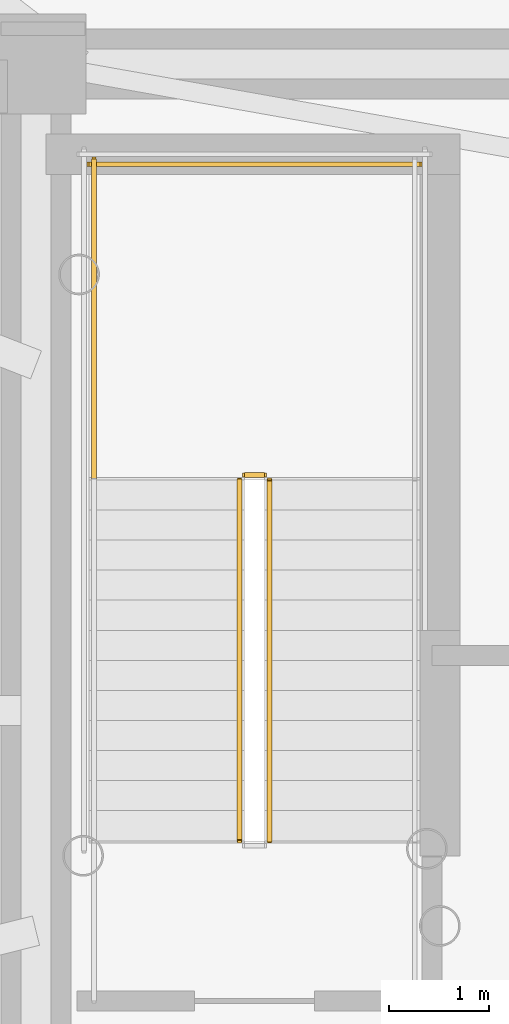
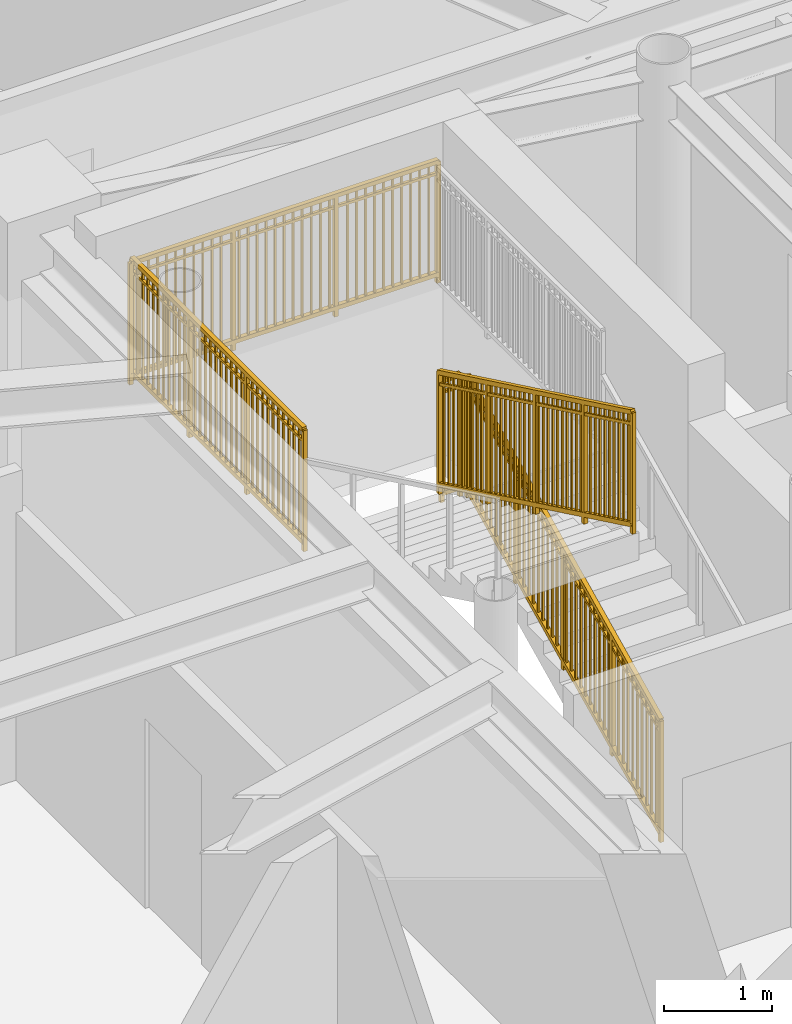
# One storey, part 14 of 17: 5 railings.
"""IFC4 building model written with IfcOpenShell, lengths in metres."""

from ifc_helpers import new_model, si_unit, direction, frame, origin, origin_2d, place, context, subcontext, project, spatial, rectangle, extrude, source, transform, mapped, material, type_object, element, save


model = new_model("IFC4")

# Units and contexts
model_context = context("Model", 3, precision=1e-05, world=origin(), true_north=direction((0.0, 1.0)))
body_context = subcontext(model_context, "Body", "Model", "MODEL_VIEW")
ifc_project = project(units=[si_unit("LENGTHUNIT", "METRE"), si_unit("AREAUNIT", "SQUARE_METRE"), si_unit("VOLUMEUNIT", "CUBIC_METRE"), si_unit("PLANEANGLEUNIT", "RADIAN"), si_unit("MASSUNIT", "GRAM", prefix="KILO")], contexts=[model_context])

# Site, building, storey
site_placement = place(None, origin())
site = spatial("IfcSite", under=ifc_project, at=site_placement, CompositionType="ELEMENT")
building_placement = place(site_placement, origin())
building = spatial("IfcBuilding", under=site, at=building_placement, Name="Linh Dai School and Residence Tower", CompositionType="ELEMENT")
storey_placement = place(building_placement, frame((0.0, 0.0, 310.5)))
storey = spatial("IfcBuildingStorey", under=building, at=storey_placement, Name="L77", CompositionType="ELEMENT", Elevation=310.5)

# Railings
ifc_material = material(Name="Structural Steel S355JR", Category="steel")
railing_type = type_object("IfcRailingType", Name="RL-ST-GUARD-1400", PredefinedType="GUARDRAIL", material=ifc_material)
shared_shape_1 = source(origin(), body_context, "Body", "SweptSolid", [
    extrude(rectangle(XDim=0.048095703125, YDim=0.048095703125, at=origin_2d()), frame((0.0, 0.0, 1.3759765625), z_axis=(-1.0, 0.0, 0.0), x_axis=(0.0, -1.0, 0.0)), (0.0, 0.0, 1.0), 0.199951171875),
    extrude(rectangle(XDim=0.048095703125, YDim=0.048095703125, at=origin_2d()), frame((0.0, 0.0, 0.10009765625), z_axis=(-1.0, 0.0, 0.0), x_axis=(0.0, -1.0, 0.0)), (0.0, 0.0, 1.0), 0.199951171875),
    extrude(rectangle(XDim=0.030029296875, YDim=0.030029296875, at=origin_2d()), frame((0.0, 0.0, 1.239990234375), z_axis=(-1.0, 0.0, 0.0), x_axis=(0.0, -1.0, 0.0)), (0.0, 0.0, 1.0), 0.199951171875),
    extrude(rectangle(XDim=0.0419921875, YDim=0.0419921875, at=origin_2d()), origin(), (0.0, 0.0, 1.0), 1.3759765625),
    extrude(rectangle(XDim=0.0419921875, YDim=0.0419921875, at=origin_2d()), frame((-0.199951171875, 0.0, 0.0)), (0.0, 0.0, 1.0), 1.3759765625),
])
railing_1_placement = place(storey_placement, frame((29.429931640625, 29.35009765625, 1.875)))
element("IfcRailing", 1, at=railing_1_placement, inside=storey, type_object=railing_type, Name="L77 ST1 stair guard 2", PredefinedType="GUARDRAIL", context=body_context, shape_type="MappedRepresentation", body=[
    mapped(shared_shape_1, transform((0.0, 0.0, 0.0), x_axis=(1.0, 0.0, 0.0), y_axis=(0.0, 1.0, 0.0), z_axis=(0.0, 0.0, 1.0), scale=1.0)),
])
shared_shape_2 = source(origin(), body_context, "Body", "SweptSolid", [
    extrude(rectangle(XDim=0.048095703125, YDim=0.048095703125, at=origin_2d()), frame((0.0, 0.0, 1.3759765625), z_axis=(-1.0, 0.0, 0.0), x_axis=(0.0, -1.0, 0.0)), (0.0, 0.0, 1.0), 3.300048828125),
    extrude(rectangle(XDim=0.048095703125, YDim=0.048095703125, at=origin_2d()), frame((0.0, 0.0, 0.10009765625), z_axis=(-1.0, 0.0, 0.0), x_axis=(0.0, -1.0, 0.0)), (0.0, 0.0, 1.0), 3.300048828125),
    extrude(rectangle(XDim=0.030029296875, YDim=0.030029296875, at=origin_2d()), frame((0.0, 0.0, 1.239990234375), z_axis=(-1.0, 0.0, 0.0), x_axis=(0.0, -1.0, 0.0)), (0.0, 0.0, 1.0), 3.300048828125),
    extrude(rectangle(XDim=0.02001953125, YDim=0.02001953125, at=origin_2d()), frame((-0.09716796875, 0.0, 0.10009765625)), (0.0, 0.0, 1.0), 1.251708984375),
    extrude(rectangle(XDim=0.02001953125, YDim=0.02001953125, at=origin_2d()), frame((-0.194091796875, 0.0, 0.10009765625)), (0.0, 0.0, 1.0), 1.251708984375),
    extrude(rectangle(XDim=0.02001953125, YDim=0.02001953125, at=origin_2d()), frame((-0.291259765625, 0.0, 0.10009765625)), (0.0, 0.0, 1.0), 1.251708984375),
    extrude(rectangle(XDim=0.02001953125, YDim=0.02001953125, at=origin_2d()), frame((-0.38818359375, 0.0, 0.10009765625)), (0.0, 0.0, 1.0), 1.251708984375),
    extrude(rectangle(XDim=0.02001953125, YDim=0.02001953125, at=origin_2d()), frame((-0.4853515625, 0.0, 0.10009765625)), (0.0, 0.0, 1.0), 1.251708984375),
    extrude(rectangle(XDim=0.02001953125, YDim=0.02001953125, at=origin_2d()), frame((-0.582275390625, 0.0, 0.10009765625)), (0.0, 0.0, 1.0), 1.251708984375),
    extrude(rectangle(XDim=0.02001953125, YDim=0.02001953125, at=origin_2d()), frame((-0.679443359375, 0.0, 0.10009765625)), (0.0, 0.0, 1.0), 1.251708984375),
    extrude(rectangle(XDim=0.02001953125, YDim=0.02001953125, at=origin_2d()), frame((-0.7763671875, 0.0, 0.10009765625)), (0.0, 0.0, 1.0), 1.251708984375),
    extrude(rectangle(XDim=0.02001953125, YDim=0.02001953125, at=origin_2d()), frame((-0.87353515625, 0.0, 0.10009765625)), (0.0, 0.0, 1.0), 1.251708984375),
    extrude(rectangle(XDim=0.02001953125, YDim=0.02001953125, at=origin_2d()), frame((-0.970703125, 0.0, 0.10009765625)), (0.0, 0.0, 1.0), 1.251708984375),
    extrude(rectangle(XDim=0.02001953125, YDim=0.02001953125, at=origin_2d()), frame((-1.164794921875, 0.0, 0.10009765625)), (0.0, 0.0, 1.0), 1.251708984375),
    extrude(rectangle(XDim=0.02001953125, YDim=0.02001953125, at=origin_2d()), frame((-1.26171875, 0.0, 0.10009765625)), (0.0, 0.0, 1.0), 1.251708984375),
    extrude(rectangle(XDim=0.02001953125, YDim=0.02001953125, at=origin_2d()), frame((-1.35888671875, 0.0, 0.10009765625)), (0.0, 0.0, 1.0), 1.251708984375),
    extrude(rectangle(XDim=0.02001953125, YDim=0.02001953125, at=origin_2d()), frame((-1.455810546875, 0.0, 0.10009765625)), (0.0, 0.0, 1.0), 1.251708984375),
    extrude(rectangle(XDim=0.02001953125, YDim=0.02001953125, at=origin_2d()), frame((-1.552978515625, 0.0, 0.10009765625)), (0.0, 0.0, 1.0), 1.251708984375),
    extrude(rectangle(XDim=0.02001953125, YDim=0.02001953125, at=origin_2d()), frame((-1.64990234375, 0.0, 0.10009765625)), (0.0, 0.0, 1.0), 1.251708984375),
    extrude(rectangle(XDim=0.02001953125, YDim=0.02001953125, at=origin_2d()), frame((-1.7470703125, 0.0, 0.10009765625)), (0.0, 0.0, 1.0), 1.251708984375),
    extrude(rectangle(XDim=0.02001953125, YDim=0.02001953125, at=origin_2d()), frame((-1.84423828125, 0.0, 0.10009765625)), (0.0, 0.0, 1.0), 1.251708984375),
    extrude(rectangle(XDim=0.02001953125, YDim=0.02001953125, at=origin_2d()), frame((-1.941162109375, 0.0, 0.10009765625)), (0.0, 0.0, 1.0), 1.251708984375),
    extrude(rectangle(XDim=0.02001953125, YDim=0.02001953125, at=origin_2d()), frame((-2.038330078125, 0.0, 0.10009765625)), (0.0, 0.0, 1.0), 1.251708984375),
    extrude(rectangle(XDim=0.02001953125, YDim=0.02001953125, at=origin_2d()), frame((-2.13525390625, 0.0, 0.10009765625)), (0.0, 0.0, 1.0), 1.251708984375),
    extrude(rectangle(XDim=0.02001953125, YDim=0.02001953125, at=origin_2d()), frame((-2.329345703125, 0.0, 0.10009765625)), (0.0, 0.0, 1.0), 1.251708984375),
    extrude(rectangle(XDim=0.02001953125, YDim=0.02001953125, at=origin_2d()), frame((-2.426513671875, 0.0, 0.10009765625)), (0.0, 0.0, 1.0), 1.251708984375),
    extrude(rectangle(XDim=0.02001953125, YDim=0.02001953125, at=origin_2d()), frame((-2.523681640625, 0.0, 0.10009765625)), (0.0, 0.0, 1.0), 1.251708984375),
    extrude(rectangle(XDim=0.02001953125, YDim=0.02001953125, at=origin_2d()), frame((-2.62060546875, 0.0, 0.10009765625)), (0.0, 0.0, 1.0), 1.251708984375),
    extrude(rectangle(XDim=0.02001953125, YDim=0.02001953125, at=origin_2d()), frame((-2.7177734375, 0.0, 0.10009765625)), (0.0, 0.0, 1.0), 1.251708984375),
    extrude(rectangle(XDim=0.02001953125, YDim=0.02001953125, at=origin_2d()), frame((-2.814697265625, 0.0, 0.10009765625)), (0.0, 0.0, 1.0), 1.251708984375),
    extrude(rectangle(XDim=0.02001953125, YDim=0.02001953125, at=origin_2d()), frame((-2.911865234375, 0.0, 0.10009765625)), (0.0, 0.0, 1.0), 1.251708984375),
    extrude(rectangle(XDim=0.02001953125, YDim=0.02001953125, at=origin_2d()), frame((-3.0087890625, 0.0, 0.10009765625)), (0.0, 0.0, 1.0), 1.251708984375),
    extrude(rectangle(XDim=0.02001953125, YDim=0.02001953125, at=origin_2d()), frame((-3.10595703125, 0.0, 0.10009765625)), (0.0, 0.0, 1.0), 1.251708984375),
    extrude(rectangle(XDim=0.02001953125, YDim=0.02001953125, at=origin_2d()), frame((-3.202880859375, 0.0, 0.10009765625)), (0.0, 0.0, 1.0), 1.251708984375),
    extrude(rectangle(XDim=0.0419921875, YDim=0.0419921875, at=origin_2d()), origin(), (0.0, 0.0, 1.0), 1.3759765625),
    extrude(rectangle(XDim=0.0419921875, YDim=0.0419921875, at=origin_2d()), frame((-1.10009765625, 0.0, 0.0)), (0.0, 0.0, 1.0), 1.3759765625),
    extrude(rectangle(XDim=0.0419921875, YDim=0.0419921875, at=origin_2d()), frame((-2.199951171875, 0.0, 0.0)), (0.0, 0.0, 1.0), 1.3759765625),
    extrude(rectangle(XDim=0.0419921875, YDim=0.0419921875, at=origin_2d()), frame((-3.300048828125, 0.0, 0.0)), (0.0, 0.0, 1.0), 1.3759765625),
])
railing_2_placement = place(storey_placement, frame((30.97998046875, 32.449951171875, 1.875)))
element("IfcRailing", 2, at=railing_2_placement, inside=storey, type_object=railing_type, Name="L77 ST1 stair guard 5", PredefinedType="GUARDRAIL", context=body_context, shape_type="MappedRepresentation", body=[
    mapped(shared_shape_2, transform((0.0, 0.0, 0.0), x_axis=(1.0, 0.0, 0.0), y_axis=(0.0, 1.0, 0.0), z_axis=(0.0, 0.0, 1.0), scale=1.0)),
])
shared_shape_3 = source(origin(), body_context, "Body", "SweptSolid", [
    extrude(rectangle(XDim=0.048095703125, YDim=0.048095703125, at=origin_2d()), frame((0.0, 0.0, 1.3759765625), z_axis=(0.0, 0.901262522062, 0.433273431364), x_axis=(-1.0, 0.0, 0.0)), (0.0, 0.0, 1.0), 3.994384765625),
    extrude(rectangle(XDim=0.048095703125, YDim=0.048095703125, at=origin_2d()), frame((0.0, 0.0, 0.10009765625), z_axis=(0.0, 0.901262522062, 0.433273431364), x_axis=(-1.0, 0.0, 0.0)), (0.0, 0.0, 1.0), 3.994384765625),
    extrude(rectangle(XDim=0.030029296875, YDim=0.030029296875, at=origin_2d()), frame((0.0, 0.0, 1.239990234375), z_axis=(0.0, 0.901262522062, 0.433273431364), x_axis=(-1.0, 0.0, 0.0)), (0.0, 0.0, 1.0), 3.994384765625),
    extrude(rectangle(XDim=0.02001953125, YDim=0.02001953125, at=origin_2d()), frame((0.0, 0.087890625, 0.142333984375)), (0.0, 0.0, 1.0), 1.251708984375),
    extrude(rectangle(XDim=0.02001953125, YDim=0.02001953125, at=origin_2d()), frame((0.0, 0.175537109375, 0.1845703125)), (0.0, 0.0, 1.0), 1.251708984375),
    extrude(rectangle(XDim=0.02001953125, YDim=0.02001953125, at=origin_2d()), frame((0.0, 0.263427734375, 0.226806640625)), (0.0, 0.0, 1.0), 1.251708984375),
    extrude(rectangle(XDim=0.02001953125, YDim=0.02001953125, at=origin_2d()), frame((0.0, 0.351318359375, 0.26904296875)), (0.0, 0.0, 1.0), 1.251708984375),
    extrude(rectangle(XDim=0.02001953125, YDim=0.02001953125, at=origin_2d()), frame((0.0, 0.43896484375, 0.311279296875)), (0.0, 0.0, 1.0), 1.251708984375),
    extrude(rectangle(XDim=0.02001953125, YDim=0.02001953125, at=origin_2d()), frame((0.0, 0.52685546875, 0.353271484375)), (0.0, 0.0, 1.0), 1.251708984375),
    extrude(rectangle(XDim=0.02001953125, YDim=0.02001953125, at=origin_2d()), frame((0.0, 0.61474609375, 0.3955078125)), (0.0, 0.0, 1.0), 1.251708984375),
    extrude(rectangle(XDim=0.02001953125, YDim=0.02001953125, at=origin_2d()), frame((0.0, 0.702392578125, 0.437744140625)), (0.0, 0.0, 1.0), 1.251708984375),
    extrude(rectangle(XDim=0.02001953125, YDim=0.02001953125, at=origin_2d()), frame((0.0, 0.790283203125, 0.47998046875)), (0.0, 0.0, 1.0), 1.251708984375),
    extrude(rectangle(XDim=0.02001953125, YDim=0.02001953125, at=origin_2d()), frame((0.0, 0.9658203125, 0.564453125)), (0.0, 0.0, 1.0), 1.251708984375),
    extrude(rectangle(XDim=0.02001953125, YDim=0.02001953125, at=origin_2d()), frame((0.0, 1.0537109375, 0.606689453125)), (0.0, 0.0, 1.0), 1.251708984375),
    extrude(rectangle(XDim=0.02001953125, YDim=0.02001953125, at=origin_2d()), frame((0.0, 1.1416015625, 0.64892578125)), (0.0, 0.0, 1.0), 1.251708984375),
    extrude(rectangle(XDim=0.02001953125, YDim=0.02001953125, at=origin_2d()), frame((0.0, 1.229248046875, 0.691162109375)), (0.0, 0.0, 1.0), 1.251708984375),
    extrude(rectangle(XDim=0.02001953125, YDim=0.02001953125, at=origin_2d()), frame((0.0, 1.317138671875, 0.7333984375)), (0.0, 0.0, 1.0), 1.251708984375),
    extrude(rectangle(XDim=0.02001953125, YDim=0.02001953125, at=origin_2d()), frame((0.0, 1.405029296875, 0.775390625)), (0.0, 0.0, 1.0), 1.251708984375),
    extrude(rectangle(XDim=0.02001953125, YDim=0.02001953125, at=origin_2d()), frame((0.0, 1.49267578125, 0.817626953125)), (0.0, 0.0, 1.0), 1.251708984375),
    extrude(rectangle(XDim=0.02001953125, YDim=0.02001953125, at=origin_2d()), frame((0.0, 1.58056640625, 0.85986328125)), (0.0, 0.0, 1.0), 1.251708984375),
    extrude(rectangle(XDim=0.02001953125, YDim=0.02001953125, at=origin_2d()), frame((0.0, 1.66845703125, 0.902099609375)), (0.0, 0.0, 1.0), 1.251708984375),
    extrude(rectangle(XDim=0.02001953125, YDim=0.02001953125, at=origin_2d()), frame((0.0, 1.756103515625, 0.9443359375)), (0.0, 0.0, 1.0), 1.251708984375),
    extrude(rectangle(XDim=0.02001953125, YDim=0.02001953125, at=origin_2d()), frame((0.0, 1.843994140625, 0.986572265625)), (0.0, 0.0, 1.0), 1.251708984375),
    extrude(rectangle(XDim=0.02001953125, YDim=0.02001953125, at=origin_2d()), frame((0.0, 1.931640625, 1.02880859375)), (0.0, 0.0, 1.0), 1.251708984375),
    extrude(rectangle(XDim=0.02001953125, YDim=0.02001953125, at=origin_2d()), frame((0.0, 2.01953125, 1.071044921875)), (0.0, 0.0, 1.0), 1.251708984375),
    extrude(rectangle(XDim=0.02001953125, YDim=0.02001953125, at=origin_2d()), frame((0.0, 2.107421875, 1.11328125)), (0.0, 0.0, 1.0), 1.251708984375),
    extrude(rectangle(XDim=0.02001953125, YDim=0.02001953125, at=origin_2d()), frame((0.0, 2.195068359375, 1.155517578125)), (0.0, 0.0, 1.0), 1.251708984375),
    extrude(rectangle(XDim=0.02001953125, YDim=0.02001953125, at=origin_2d()), frame((0.0, 2.282958984375, 1.197509765625)), (0.0, 0.0, 1.0), 1.251708984375),
    extrude(rectangle(XDim=0.02001953125, YDim=0.02001953125, at=origin_2d()), frame((0.0, 2.370849609375, 1.23974609375)), (0.0, 0.0, 1.0), 1.251708984375),
    extrude(rectangle(XDim=0.02001953125, YDim=0.02001953125, at=origin_2d()), frame((0.0, 2.45849609375, 1.281982421875)), (0.0, 0.0, 1.0), 1.251708984375),
    extrude(rectangle(XDim=0.02001953125, YDim=0.02001953125, at=origin_2d()), frame((0.0, 2.54638671875, 1.32421875)), (0.0, 0.0, 1.0), 1.251708984375),
    extrude(rectangle(XDim=0.02001953125, YDim=0.02001953125, at=origin_2d()), frame((0.0, 2.63427734375, 1.366455078125)), (0.0, 0.0, 1.0), 1.251708984375),
    extrude(rectangle(XDim=0.02001953125, YDim=0.02001953125, at=origin_2d()), frame((0.0, 2.809814453125, 1.450927734375)), (0.0, 0.0, 1.0), 1.251708984375),
    extrude(rectangle(XDim=0.02001953125, YDim=0.02001953125, at=origin_2d()), frame((0.0, 2.897705078125, 1.4931640625)), (0.0, 0.0, 1.0), 1.251708984375),
    extrude(rectangle(XDim=0.02001953125, YDim=0.02001953125, at=origin_2d()), frame((0.0, 2.9853515625, 1.535400390625)), (0.0, 0.0, 1.0), 1.251708984375),
    extrude(rectangle(XDim=0.02001953125, YDim=0.02001953125, at=origin_2d()), frame((0.0, 3.0732421875, 1.57763671875)), (0.0, 0.0, 1.0), 1.251708984375),
    extrude(rectangle(XDim=0.02001953125, YDim=0.02001953125, at=origin_2d()), frame((0.0, 3.1611328125, 1.61962890625)), (0.0, 0.0, 1.0), 1.251708984375),
    extrude(rectangle(XDim=0.02001953125, YDim=0.02001953125, at=origin_2d()), frame((0.0, 3.248779296875, 1.661865234375)), (0.0, 0.0, 1.0), 1.251708984375),
    extrude(rectangle(XDim=0.02001953125, YDim=0.02001953125, at=origin_2d()), frame((0.0, 3.336669921875, 1.7041015625)), (0.0, 0.0, 1.0), 1.251708984375),
    extrude(rectangle(XDim=0.02001953125, YDim=0.02001953125, at=origin_2d()), frame((0.0, 3.424560546875, 1.746337890625)), (0.0, 0.0, 1.0), 1.251708984375),
    extrude(rectangle(XDim=0.02001953125, YDim=0.02001953125, at=origin_2d()), frame((0.0, 3.51220703125, 1.78857421875)), (0.0, 0.0, 1.0), 1.251708984375),
    extrude(rectangle(XDim=0.0419921875, YDim=0.0419921875, at=origin_2d()), origin(), (0.0, 0.0, 1.0), 1.3759765625),
    extrude(rectangle(XDim=0.0419921875, YDim=0.0419921875, at=origin_2d()), frame((0.0, 0.89990234375, 0.4326171875)), (0.0, 0.0, 1.0), 1.3759765625),
    extrude(rectangle(XDim=0.0419921875, YDim=0.0419921875, at=origin_2d()), frame((0.0, 1.800048828125, 0.865234375)), (0.0, 0.0, 1.0), 1.3759765625),
    extrude(rectangle(XDim=0.0419921875, YDim=0.0419921875, at=origin_2d()), frame((0.0, 2.7001953125, 1.298095703125)), (0.0, 0.0, 1.0), 1.3759765625),
    extrude(rectangle(XDim=0.0419921875, YDim=0.0419921875, at=origin_2d()), frame((0.0, 3.60009765625, 1.730712890625)), (0.0, 0.0, 1.0), 1.3759765625),
])
railing_3_placement = place(storey_placement, frame((29.47998046875, 25.699951171875, 0.144287109375)))
element("IfcRailing", 3, at=railing_3_placement, inside=storey, type_object=railing_type, Name="L77 ST1 stair guard 1", PredefinedType="GUARDRAIL", context=body_context, shape_type="MappedRepresentation", body=[
    mapped(shared_shape_3, transform((0.0, 0.0, 0.0), x_axis=(1.0, 0.0, 0.0), y_axis=(0.0, 1.0, 0.0), z_axis=(0.0, 0.0, 1.0), scale=1.0)),
])
shared_shape_4 = source(origin(), body_context, "Body", "SweptSolid", [
    extrude(rectangle(XDim=0.048095703125, YDim=0.048095703125, at=origin_2d()), frame((0.0, 0.0, 1.3759765625), z_axis=(0.0, 1.0, 0.0), x_axis=(-1.0, 0.0, 0.0)), (0.0, 0.0, 1.0), 3.199951171875),
    extrude(rectangle(XDim=0.048095703125, YDim=0.048095703125, at=origin_2d()), frame((0.0, 0.0, 0.10009765625), z_axis=(0.0, 1.0, 0.0), x_axis=(-1.0, 0.0, 0.0)), (0.0, 0.0, 1.0), 3.199951171875),
    extrude(rectangle(XDim=0.030029296875, YDim=0.030029296875, at=origin_2d()), frame((0.0, 0.0, 1.239990234375), z_axis=(0.0, 1.0, 0.0), x_axis=(-1.0, 0.0, 0.0)), (0.0, 0.0, 1.0), 3.199951171875),
    extrude(rectangle(XDim=0.02001953125, YDim=0.02001953125, at=origin_2d()), frame((0.0, 0.096923828125, 0.10009765625)), (0.0, 0.0, 1.0), 1.251708984375),
    extrude(rectangle(XDim=0.02001953125, YDim=0.02001953125, at=origin_2d()), frame((0.0, 0.19384765625, 0.10009765625)), (0.0, 0.0, 1.0), 1.251708984375),
    extrude(rectangle(XDim=0.02001953125, YDim=0.02001953125, at=origin_2d()), frame((0.0, 0.291015625, 0.10009765625)), (0.0, 0.0, 1.0), 1.251708984375),
    extrude(rectangle(XDim=0.02001953125, YDim=0.02001953125, at=origin_2d()), frame((0.0, 0.387939453125, 0.10009765625)), (0.0, 0.0, 1.0), 1.251708984375),
    extrude(rectangle(XDim=0.02001953125, YDim=0.02001953125, at=origin_2d()), frame((0.0, 0.48486328125, 0.10009765625)), (0.0, 0.0, 1.0), 1.251708984375),
    extrude(rectangle(XDim=0.02001953125, YDim=0.02001953125, at=origin_2d()), frame((0.0, 0.581787109375, 0.10009765625)), (0.0, 0.0, 1.0), 1.251708984375),
    extrude(rectangle(XDim=0.02001953125, YDim=0.02001953125, at=origin_2d()), frame((0.0, 0.6787109375, 0.10009765625)), (0.0, 0.0, 1.0), 1.251708984375),
    extrude(rectangle(XDim=0.02001953125, YDim=0.02001953125, at=origin_2d()), frame((0.0, 0.775634765625, 0.10009765625)), (0.0, 0.0, 1.0), 1.251708984375),
    extrude(rectangle(XDim=0.02001953125, YDim=0.02001953125, at=origin_2d()), frame((0.0, 0.872802734375, 0.10009765625)), (0.0, 0.0, 1.0), 1.251708984375),
    extrude(rectangle(XDim=0.02001953125, YDim=0.02001953125, at=origin_2d()), frame((0.0, 0.9697265625, 0.10009765625)), (0.0, 0.0, 1.0), 1.251708984375),
    extrude(rectangle(XDim=0.02001953125, YDim=0.02001953125, at=origin_2d()), frame((0.0, 1.16357421875, 0.10009765625)), (0.0, 0.0, 1.0), 1.251708984375),
    extrude(rectangle(XDim=0.02001953125, YDim=0.02001953125, at=origin_2d()), frame((0.0, 1.260498046875, 0.10009765625)), (0.0, 0.0, 1.0), 1.251708984375),
    extrude(rectangle(XDim=0.02001953125, YDim=0.02001953125, at=origin_2d()), frame((0.0, 1.357666015625, 0.10009765625)), (0.0, 0.0, 1.0), 1.251708984375),
    extrude(rectangle(XDim=0.02001953125, YDim=0.02001953125, at=origin_2d()), frame((0.0, 1.45458984375, 0.10009765625)), (0.0, 0.0, 1.0), 1.251708984375),
    extrude(rectangle(XDim=0.02001953125, YDim=0.02001953125, at=origin_2d()), frame((0.0, 1.551513671875, 0.10009765625)), (0.0, 0.0, 1.0), 1.251708984375),
    extrude(rectangle(XDim=0.02001953125, YDim=0.02001953125, at=origin_2d()), frame((0.0, 1.6484375, 0.10009765625)), (0.0, 0.0, 1.0), 1.251708984375),
    extrude(rectangle(XDim=0.02001953125, YDim=0.02001953125, at=origin_2d()), frame((0.0, 1.745361328125, 0.10009765625)), (0.0, 0.0, 1.0), 1.251708984375),
    extrude(rectangle(XDim=0.02001953125, YDim=0.02001953125, at=origin_2d()), frame((0.0, 1.84228515625, 0.10009765625)), (0.0, 0.0, 1.0), 1.251708984375),
    extrude(rectangle(XDim=0.02001953125, YDim=0.02001953125, at=origin_2d()), frame((0.0, 1.939453125, 0.10009765625)), (0.0, 0.0, 1.0), 1.251708984375),
    extrude(rectangle(XDim=0.02001953125, YDim=0.02001953125, at=origin_2d()), frame((0.0, 2.036376953125, 0.10009765625)), (0.0, 0.0, 1.0), 1.251708984375),
    extrude(rectangle(XDim=0.02001953125, YDim=0.02001953125, at=origin_2d()), frame((0.0, 2.230224609375, 0.10009765625)), (0.0, 0.0, 1.0), 1.251708984375),
    extrude(rectangle(XDim=0.02001953125, YDim=0.02001953125, at=origin_2d()), frame((0.0, 2.3271484375, 0.10009765625)), (0.0, 0.0, 1.0), 1.251708984375),
    extrude(rectangle(XDim=0.02001953125, YDim=0.02001953125, at=origin_2d()), frame((0.0, 2.42431640625, 0.10009765625)), (0.0, 0.0, 1.0), 1.251708984375),
    extrude(rectangle(XDim=0.02001953125, YDim=0.02001953125, at=origin_2d()), frame((0.0, 2.521240234375, 0.10009765625)), (0.0, 0.0, 1.0), 1.251708984375),
    extrude(rectangle(XDim=0.02001953125, YDim=0.02001953125, at=origin_2d()), frame((0.0, 2.6181640625, 0.10009765625)), (0.0, 0.0, 1.0), 1.251708984375),
    extrude(rectangle(XDim=0.02001953125, YDim=0.02001953125, at=origin_2d()), frame((0.0, 2.715087890625, 0.10009765625)), (0.0, 0.0, 1.0), 1.251708984375),
    extrude(rectangle(XDim=0.02001953125, YDim=0.02001953125, at=origin_2d()), frame((0.0, 2.81201171875, 0.10009765625)), (0.0, 0.0, 1.0), 1.251708984375),
    extrude(rectangle(XDim=0.02001953125, YDim=0.02001953125, at=origin_2d()), frame((0.0, 2.908935546875, 0.10009765625)), (0.0, 0.0, 1.0), 1.251708984375),
    extrude(rectangle(XDim=0.02001953125, YDim=0.02001953125, at=origin_2d()), frame((0.0, 3.006103515625, 0.10009765625)), (0.0, 0.0, 1.0), 1.251708984375),
    extrude(rectangle(XDim=0.02001953125, YDim=0.02001953125, at=origin_2d()), frame((0.0, 3.10302734375, 0.10009765625)), (0.0, 0.0, 1.0), 1.251708984375),
    extrude(rectangle(XDim=0.0419921875, YDim=0.0419921875, at=origin_2d()), origin(), (0.0, 0.0, 1.0), 1.3759765625),
    extrude(rectangle(XDim=0.0419921875, YDim=0.0419921875, at=origin_2d()), frame((0.0, 1.066650390625, 0.0)), (0.0, 0.0, 1.0), 1.3759765625),
    extrude(rectangle(XDim=0.0419921875, YDim=0.0419921875, at=origin_2d()), frame((0.0, 2.13330078125, 0.0)), (0.0, 0.0, 1.0), 1.3759765625),
    extrude(rectangle(XDim=0.0419921875, YDim=0.0419921875, at=origin_2d()), frame((0.0, 3.199951171875, 0.0)), (0.0, 0.0, 1.0), 1.3759765625),
])
railing_4_placement = place(storey_placement, frame((27.72998046875, 29.300048828125, 1.875)))
element("IfcRailing", 4, at=railing_4_placement, inside=storey, type_object=railing_type, Name="L77 ST1 stair guard 4", PredefinedType="GUARDRAIL", context=body_context, shape_type="MappedRepresentation", body=[
    mapped(shared_shape_4, transform((0.0, 0.0, 0.0), x_axis=(1.0, 0.0, 0.0), y_axis=(0.0, 1.0, 0.0), z_axis=(0.0, 0.0, 1.0), scale=1.0)),
])
shared_shape_5 = source(origin(), body_context, "Body", "SweptSolid", [
    extrude(rectangle(XDim=0.048095703125, YDim=0.048095703125, at=origin_2d()), frame((0.0, 0.0, 1.3759765625), z_axis=(0.0, -0.901262522062, 0.433273431364), x_axis=(1.0, 0.0, 0.0)), (0.0, 0.0, 1.0), 3.994384765625),
    extrude(rectangle(XDim=0.048095703125, YDim=0.048095703125, at=origin_2d()), frame((0.0, 0.0, 0.10009765625), z_axis=(0.0, -0.901262522062, 0.433273431364), x_axis=(1.0, 0.0, 0.0)), (0.0, 0.0, 1.0), 3.994384765625),
    extrude(rectangle(XDim=0.030029296875, YDim=0.030029296875, at=origin_2d()), frame((0.0, 0.0, 1.239990234375), z_axis=(0.0, -0.901262522062, 0.433273431364), x_axis=(1.0, 0.0, 0.0)), (0.0, 0.0, 1.0), 3.994384765625),
    extrude(rectangle(XDim=0.02001953125, YDim=0.02001953125, at=origin_2d()), frame((0.0, -0.087890625, 0.142333984375)), (0.0, 0.0, 1.0), 1.251708984375),
    extrude(rectangle(XDim=0.02001953125, YDim=0.02001953125, at=origin_2d()), frame((0.0, -0.175537109375, 0.1845703125)), (0.0, 0.0, 1.0), 1.251708984375),
    extrude(rectangle(XDim=0.02001953125, YDim=0.02001953125, at=origin_2d()), frame((0.0, -0.263427734375, 0.226806640625)), (0.0, 0.0, 1.0), 1.251708984375),
    extrude(rectangle(XDim=0.02001953125, YDim=0.02001953125, at=origin_2d()), frame((0.0, -0.351318359375, 0.26904296875)), (0.0, 0.0, 1.0), 1.251708984375),
    extrude(rectangle(XDim=0.02001953125, YDim=0.02001953125, at=origin_2d()), frame((0.0, -0.43896484375, 0.311279296875)), (0.0, 0.0, 1.0), 1.251708984375),
    extrude(rectangle(XDim=0.02001953125, YDim=0.02001953125, at=origin_2d()), frame((0.0, -0.52685546875, 0.353271484375)), (0.0, 0.0, 1.0), 1.251708984375),
    extrude(rectangle(XDim=0.02001953125, YDim=0.02001953125, at=origin_2d()), frame((0.0, -0.61474609375, 0.3955078125)), (0.0, 0.0, 1.0), 1.251708984375),
    extrude(rectangle(XDim=0.02001953125, YDim=0.02001953125, at=origin_2d()), frame((0.0, -0.702392578125, 0.437744140625)), (0.0, 0.0, 1.0), 1.251708984375),
    extrude(rectangle(XDim=0.02001953125, YDim=0.02001953125, at=origin_2d()), frame((0.0, -0.790283203125, 0.47998046875)), (0.0, 0.0, 1.0), 1.251708984375),
    extrude(rectangle(XDim=0.02001953125, YDim=0.02001953125, at=origin_2d()), frame((0.0, -0.9658203125, 0.564453125)), (0.0, 0.0, 1.0), 1.251708984375),
    extrude(rectangle(XDim=0.02001953125, YDim=0.02001953125, at=origin_2d()), frame((0.0, -1.0537109375, 0.606689453125)), (0.0, 0.0, 1.0), 1.251708984375),
    extrude(rectangle(XDim=0.02001953125, YDim=0.02001953125, at=origin_2d()), frame((0.0, -1.1416015625, 0.64892578125)), (0.0, 0.0, 1.0), 1.251708984375),
    extrude(rectangle(XDim=0.02001953125, YDim=0.02001953125, at=origin_2d()), frame((0.0, -1.229248046875, 0.691162109375)), (0.0, 0.0, 1.0), 1.251708984375),
    extrude(rectangle(XDim=0.02001953125, YDim=0.02001953125, at=origin_2d()), frame((0.0, -1.317138671875, 0.7333984375)), (0.0, 0.0, 1.0), 1.251708984375),
    extrude(rectangle(XDim=0.02001953125, YDim=0.02001953125, at=origin_2d()), frame((0.0, -1.405029296875, 0.775390625)), (0.0, 0.0, 1.0), 1.251708984375),
    extrude(rectangle(XDim=0.02001953125, YDim=0.02001953125, at=origin_2d()), frame((0.0, -1.49267578125, 0.817626953125)), (0.0, 0.0, 1.0), 1.251708984375),
    extrude(rectangle(XDim=0.02001953125, YDim=0.02001953125, at=origin_2d()), frame((0.0, -1.58056640625, 0.85986328125)), (0.0, 0.0, 1.0), 1.251708984375),
    extrude(rectangle(XDim=0.02001953125, YDim=0.02001953125, at=origin_2d()), frame((0.0, -1.66845703125, 0.902099609375)), (0.0, 0.0, 1.0), 1.251708984375),
    extrude(rectangle(XDim=0.02001953125, YDim=0.02001953125, at=origin_2d()), frame((0.0, -1.756103515625, 0.9443359375)), (0.0, 0.0, 1.0), 1.251708984375),
    extrude(rectangle(XDim=0.02001953125, YDim=0.02001953125, at=origin_2d()), frame((0.0, -1.843994140625, 0.986572265625)), (0.0, 0.0, 1.0), 1.251708984375),
    extrude(rectangle(XDim=0.02001953125, YDim=0.02001953125, at=origin_2d()), frame((0.0, -1.931640625, 1.02880859375)), (0.0, 0.0, 1.0), 1.251708984375),
    extrude(rectangle(XDim=0.02001953125, YDim=0.02001953125, at=origin_2d()), frame((0.0, -2.01953125, 1.071044921875)), (0.0, 0.0, 1.0), 1.251708984375),
    extrude(rectangle(XDim=0.02001953125, YDim=0.02001953125, at=origin_2d()), frame((0.0, -2.107421875, 1.11328125)), (0.0, 0.0, 1.0), 1.251708984375),
    extrude(rectangle(XDim=0.02001953125, YDim=0.02001953125, at=origin_2d()), frame((0.0, -2.195068359375, 1.155517578125)), (0.0, 0.0, 1.0), 1.251708984375),
    extrude(rectangle(XDim=0.02001953125, YDim=0.02001953125, at=origin_2d()), frame((0.0, -2.282958984375, 1.197509765625)), (0.0, 0.0, 1.0), 1.251708984375),
    extrude(rectangle(XDim=0.02001953125, YDim=0.02001953125, at=origin_2d()), frame((0.0, -2.370849609375, 1.23974609375)), (0.0, 0.0, 1.0), 1.251708984375),
    extrude(rectangle(XDim=0.02001953125, YDim=0.02001953125, at=origin_2d()), frame((0.0, -2.45849609375, 1.281982421875)), (0.0, 0.0, 1.0), 1.251708984375),
    extrude(rectangle(XDim=0.02001953125, YDim=0.02001953125, at=origin_2d()), frame((0.0, -2.54638671875, 1.32421875)), (0.0, 0.0, 1.0), 1.251708984375),
    extrude(rectangle(XDim=0.02001953125, YDim=0.02001953125, at=origin_2d()), frame((0.0, -2.63427734375, 1.366455078125)), (0.0, 0.0, 1.0), 1.251708984375),
    extrude(rectangle(XDim=0.02001953125, YDim=0.02001953125, at=origin_2d()), frame((0.0, -2.809814453125, 1.450927734375)), (0.0, 0.0, 1.0), 1.251708984375),
    extrude(rectangle(XDim=0.02001953125, YDim=0.02001953125, at=origin_2d()), frame((0.0, -2.897705078125, 1.4931640625)), (0.0, 0.0, 1.0), 1.251708984375),
    extrude(rectangle(XDim=0.02001953125, YDim=0.02001953125, at=origin_2d()), frame((0.0, -2.9853515625, 1.535400390625)), (0.0, 0.0, 1.0), 1.251708984375),
    extrude(rectangle(XDim=0.02001953125, YDim=0.02001953125, at=origin_2d()), frame((0.0, -3.0732421875, 1.57763671875)), (0.0, 0.0, 1.0), 1.251708984375),
    extrude(rectangle(XDim=0.02001953125, YDim=0.02001953125, at=origin_2d()), frame((0.0, -3.1611328125, 1.61962890625)), (0.0, 0.0, 1.0), 1.251708984375),
    extrude(rectangle(XDim=0.02001953125, YDim=0.02001953125, at=origin_2d()), frame((0.0, -3.248779296875, 1.661865234375)), (0.0, 0.0, 1.0), 1.251708984375),
    extrude(rectangle(XDim=0.02001953125, YDim=0.02001953125, at=origin_2d()), frame((0.0, -3.336669921875, 1.7041015625)), (0.0, 0.0, 1.0), 1.251708984375),
    extrude(rectangle(XDim=0.02001953125, YDim=0.02001953125, at=origin_2d()), frame((0.0, -3.424560546875, 1.746337890625)), (0.0, 0.0, 1.0), 1.251708984375),
    extrude(rectangle(XDim=0.02001953125, YDim=0.02001953125, at=origin_2d()), frame((0.0, -3.51220703125, 1.78857421875)), (0.0, 0.0, 1.0), 1.251708984375),
    extrude(rectangle(XDim=0.0419921875, YDim=0.0419921875, at=origin_2d()), origin(), (0.0, 0.0, 1.0), 1.3759765625),
    extrude(rectangle(XDim=0.0419921875, YDim=0.0419921875, at=origin_2d()), frame((0.0, -0.89990234375, 0.4326171875)), (0.0, 0.0, 1.0), 1.3759765625),
    extrude(rectangle(XDim=0.0419921875, YDim=0.0419921875, at=origin_2d()), frame((0.0, -1.800048828125, 0.865234375)), (0.0, 0.0, 1.0), 1.3759765625),
    extrude(rectangle(XDim=0.0419921875, YDim=0.0419921875, at=origin_2d()), frame((0.0, -2.7001953125, 1.298095703125)), (0.0, 0.0, 1.0), 1.3759765625),
    extrude(rectangle(XDim=0.0419921875, YDim=0.0419921875, at=origin_2d()), frame((0.0, -3.60009765625, 1.730712890625)), (0.0, 0.0, 1.0), 1.3759765625),
])
railing_5_placement = place(storey_placement, frame((29.179931640625, 29.300048828125, 2.019287109375)))
element("IfcRailing", 5, at=railing_5_placement, inside=storey, type_object=railing_type, Name="L77 ST1 stair guard 6", PredefinedType="GUARDRAIL", context=body_context, shape_type="MappedRepresentation", body=[
    mapped(shared_shape_5, transform((0.0, 0.0, 0.0), x_axis=(1.0, 0.0, 0.0), y_axis=(0.0, 1.0, 0.0), z_axis=(0.0, 0.0, 1.0), scale=1.0)),
])

save(model, "model.ifc")
